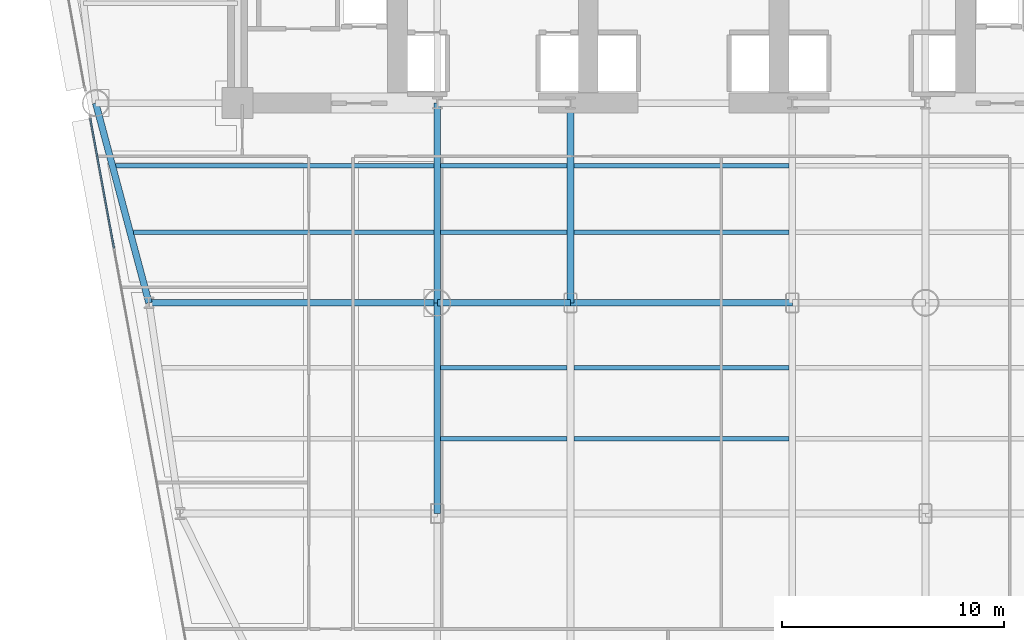
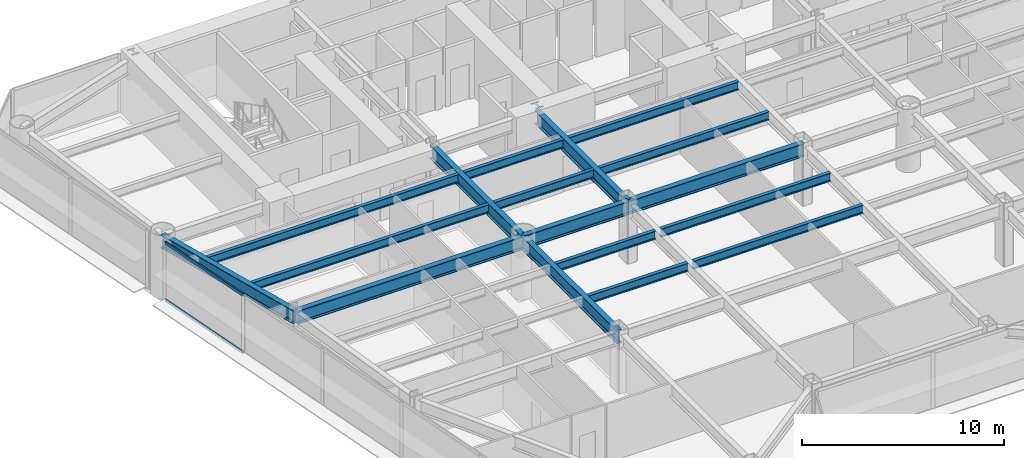
# One storey, part 3 of 14: 17 beams, 2 members, 1 element without a shape of its own.
"""IFC4 building model written with IfcOpenShell, lengths in metres."""

from ifc_helpers import new_model, si_unit, direction, frame, origin, origin_2d, place, context, subcontext, project, spatial, rectangle, i_section, extrude, source, transform, mapped, material, layer, layer_set, material_profile, profile_set, type_object, element, aggregate, save


model = new_model("IFC4")

# Units and contexts
model_context = context("Model", 3, precision=1e-05, world=origin(), true_north=direction((0.0, 1.0)))
body_context = subcontext(model_context, "Body", "Model", "MODEL_VIEW")
ifc_project = project(units=[si_unit("LENGTHUNIT", "METRE"), si_unit("AREAUNIT", "SQUARE_METRE"), si_unit("VOLUMEUNIT", "CUBIC_METRE"), si_unit("PLANEANGLEUNIT", "RADIAN"), si_unit("MASSUNIT", "GRAM", prefix="KILO")], contexts=[model_context])

# Site, building, storey
site_placement = place(None, origin())
site = spatial("IfcSite", under=ifc_project, at=site_placement, CompositionType="ELEMENT")
building_placement = place(site_placement, origin())
building = spatial("IfcBuilding", under=site, at=building_placement, Name="Vaeldorn Concourse Tower", CompositionType="ELEMENT")
storey_placement = place(building_placement, frame((0.0, 0.0, 79.60009765625)))
storey = spatial("IfcBuildingStorey", under=building, at=storey_placement, Name="L20", CompositionType="ELEMENT", Elevation=79.60009765625)

# Beams
ifc_material_1 = material(Name="Steel S355", Category="steel")
ifc_material_profile_1 = material_profile(ifc_material_1, i_section(OverallWidth=0.300048828125, OverallDepth=0.800048828125, WebThickness=0.017578125, FlangeThickness=0.032958984375, FilletRadius=0.030029296875, at=origin_2d()), Name="HEB 800")
ifc_profile_set_1 = profile_set([ifc_material_profile_1], Name="Steel S355")
beam_type_1 = type_object("IfcBeamType", Name="BM-PG-HEB800", PredefinedType="BEAM", material=ifc_profile_set_1)
shared_shape_1 = source(origin(), body_context, "Body", "SweptSolid", [
    extrude(i_section(OverallWidth=0.300048828125, OverallDepth=0.800048828125, WebThickness=0.017578125, FlangeThickness=0.032958984375, FilletRadius=0.030029296875, at=origin_2d()), origin(), (0.0, 0.0, 1.0), 6.0),
])
beam_1_placement = place(storey_placement, frame((23.0, 27.5, 3.139892578125), z_axis=(1.0, 0.0, 0.0), x_axis=(0.0, 1.0, 0.0)))
element("IfcBeam", 1, at=beam_1_placement, inside=storey, type_object=beam_type_1, Name="Beam BM-L20-C-TW1-C-TW2", PredefinedType="BEAM", context=body_context, shape_type="MappedRepresentation", body=[
    mapped(shared_shape_1, transform((0.0, 0.0, 0.0), scale=1.0)),
])
shared_shape_2 = source(origin(), body_context, "Body", "SweptSolid", [
    extrude(i_section(OverallWidth=0.300048828125, OverallDepth=0.800048828125, WebThickness=0.017578125, FlangeThickness=0.032958984375, FilletRadius=0.030029296875, at=origin_2d()), origin(), (0.0, 0.0, 1.0), 10.0),
])
beam_2_placement = place(storey_placement, frame((29.0, 27.5, 3.139892578125), z_axis=(1.0, 0.0, 0.0), x_axis=(0.0, 1.0, 0.0)))
element("IfcBeam", 2, at=beam_2_placement, inside=storey, type_object=beam_type_1, Name="Beam BM-L20-C-TW2-C-TW3", PredefinedType="BEAM", context=body_context, shape_type="MappedRepresentation", body=[
    mapped(shared_shape_2, transform((0.0, 0.0, 0.0), scale=1.0)),
])
shared_shape_3 = source(origin(), body_context, "Body", "SweptSolid", [
    extrude(i_section(OverallWidth=0.300048828125, OverallDepth=0.800048828125, WebThickness=0.017578125, FlangeThickness=0.032958984375, FilletRadius=0.030029296875, at=origin_2d()), origin(), (0.0, 0.0, 1.0), 9.0),
])
for number, where, z_axis, x_axis, name in (
    (3, (23.0, 27.5, 3.139892578125), (0.0, 1.0, 0.0), (-1.0, 0.0, 0.0), "Beam BM-L20-C-TW1-C-FC2"),
    (4, (29.0, 27.5, 3.139892578125), (0.0, 1.0, 0.0), (-1.0, 0.0, 0.0), "Beam BM-L20-C-TW2-C-FC3"),
):
    element("IfcBeam", number, at=place(storey_placement, frame(where, z_axis=z_axis, x_axis=x_axis)), inside=storey, type_object=beam_type_1, Name=name, PredefinedType="BEAM", context=body_context, shape_type="MappedRepresentation", body=[
        mapped(shared_shape_3, transform((0.0, 0.0, 0.0), scale=1.0)),
    ])
shared_shape_4 = source(origin(), body_context, "Body", "SweptSolid", [
    extrude(i_section(OverallWidth=0.300048828125, OverallDepth=0.800048828125, WebThickness=0.017578125, FlangeThickness=0.032958984375, FilletRadius=0.030029296875, at=origin_2d()), origin(), (0.0, 0.0, 1.0), 9.314453125),
])
beam_3_placement = place(storey_placement, frame((7.60009765625, 36.5, 3.139892578125), z_axis=(0.257652862255, -0.966237549763, 0.0), x_axis=(0.966237549763, 0.257652862255, 0.0)))
element("IfcBeam", 5, at=beam_3_placement, inside=storey, type_object=beam_type_1, Name="Beam BM-L20-C-NW2-C-FLW1", PredefinedType="BEAM", context=body_context, shape_type="MappedRepresentation", body=[
    mapped(shared_shape_4, transform((0.0, 0.0, 0.0), scale=1.0)),
])
shared_shape_5 = source(origin(), body_context, "Body", "SweptSolid", [
    extrude(i_section(OverallWidth=0.300048828125, OverallDepth=0.800048828125, WebThickness=0.017578125, FlangeThickness=0.032958984375, FilletRadius=0.030029296875, at=origin_2d()), origin(), (0.0, 0.0, 1.0), 13.0),
])
beam_4_placement = place(storey_placement, frame((10.0, 27.5, 3.139892578125), z_axis=(1.0, 0.0, 0.0), x_axis=(0.0, 1.0, 0.0)))
element("IfcBeam", 6, at=beam_4_placement, inside=storey, type_object=beam_type_1, Name="Beam BM-L20-C-FLW1-C-TW1", PredefinedType="BEAM", context=body_context, shape_type="MappedRepresentation", body=[
    mapped(shared_shape_5, transform((0.0, 0.0, 0.0), scale=1.0)),
])
shared_shape_6 = source(origin(), body_context, "Body", "SweptSolid", [
    extrude(i_section(OverallWidth=0.300048828125, OverallDepth=0.800048828125, WebThickness=0.017578125, FlangeThickness=0.032958984375, FilletRadius=0.030029296875, at=origin_2d()), origin(), (0.0, 0.0, 1.0), 9.5),
])
beam_5_placement = place(storey_placement, frame((23.0, 18.0, 3.139892578125), z_axis=(0.0, 1.0, 0.0), x_axis=(-1.0, 0.0, 0.0)))
element("IfcBeam", 7, at=beam_5_placement, inside=storey, type_object=beam_type_1, Name="Beam BM-L20-C-TW5-C-TW1", PredefinedType="BEAM", context=body_context, shape_type="MappedRepresentation", body=[
    mapped(shared_shape_6, transform((0.0, 0.0, 0.0), scale=1.0)),
])
ifc_material_profile_2 = material_profile(ifc_material_1, i_section(OverallWidth=0.199951171875, OverallDepth=0.5, WebThickness=0.01025390625, FlangeThickness=0.01611328125, FilletRadius=0.02099609375, at=origin_2d()), Name="IPE 500")
ifc_profile_set_2 = profile_set([ifc_material_profile_2], Name="Steel S355")
beam_type_2 = type_object("IfcBeamType", Name="BM-JS-IPE500", PredefinedType="JOIST", material=ifc_profile_set_2)
shared_shape_7 = source(origin(), body_context, "Body", "SweptSolid", [
    extrude(i_section(OverallWidth=0.199951171875, OverallDepth=0.5, WebThickness=0.01025390625, FlangeThickness=0.01611328125, FilletRadius=0.02099609375, at=origin_2d()), origin(), (0.0, 0.0, 1.0), 5.7001953125),
])
for number, where, z_axis, x_axis, name in (
    (8, (23.14990234375, 21.3798828125, 3.289794921875), (1.0, 0.0, 0.0), (0.0, 1.0, 0.0), "Beam JS-L20-W2-213"),
    (9, (23.14990234375, 24.580078125, 3.289794921875), (1.0, 0.0, 0.0), (0.0, 1.0, 0.0), "Beam JS-L20-W2-245"),
    (10, (23.14990234375, 30.679931640625, 3.289794921875), (1.0, 0.0, 0.0), (0.0, 1.0, 0.0), "Beam JS-L20-W2-306"),
    (11, (23.14990234375, 33.679931640625, 3.289794921875), (1.0, 0.0, 0.0), (0.0, 1.0, 0.0), "Beam JS-L20-W2-336"),
):
    element("IfcBeam", number, at=place(storey_placement, frame(where, z_axis=z_axis, x_axis=x_axis)), inside=storey, type_object=beam_type_2, Name=name, PredefinedType="JOIST", context=body_context, shape_type="MappedRepresentation", body=[
        mapped(shared_shape_7, transform((0.0, 0.0, 0.0), scale=1.0)),
    ])
shared_shape_8 = source(origin(), body_context, "Body", "SweptSolid", [
    extrude(i_section(OverallWidth=0.199951171875, OverallDepth=0.5, WebThickness=0.01025390625, FlangeThickness=0.01611328125, FilletRadius=0.02099609375, at=origin_2d()), origin(), (0.0, 0.0, 1.0), 9.7001953125),
])
for number, where, z_axis, x_axis, name in (
    (12, (29.14990234375, 21.3798828125, 3.289794921875), (1.0, 0.0, 0.0), (0.0, 1.0, 0.0), "Beam JS-L20-C-213"),
    (13, (29.14990234375, 24.580078125, 3.289794921875), (1.0, 0.0, 0.0), (0.0, 1.0, 0.0), "Beam JS-L20-C-245"),
    (14, (29.14990234375, 30.679931640625, 3.289794921875), (1.0, 0.0, 0.0), (0.0, 1.0, 0.0), "Beam JS-L20-C-306"),
    (15, (29.14990234375, 33.679931640625, 3.289794921875), (1.0, 0.0, 0.0), (0.0, 1.0, 0.0), "Beam JS-L20-C-336"),
):
    element("IfcBeam", number, at=place(storey_placement, frame(where, z_axis=z_axis, x_axis=x_axis)), inside=storey, type_object=beam_type_2, Name=name, PredefinedType="JOIST", context=body_context, shape_type="MappedRepresentation", body=[
        mapped(shared_shape_8, transform((0.0, 0.0, 0.0), scale=1.0)),
    ])
shared_shape_9 = source(origin(), body_context, "Body", "SweptSolid", [
    extrude(i_section(OverallWidth=0.199951171875, OverallDepth=0.5, WebThickness=0.01025390625, FlangeThickness=0.01611328125, FilletRadius=0.02099609375, at=origin_2d()), origin(), (0.0, 0.0, 1.0), 13.548095703125),
])
beam_6_placement = place(storey_placement, frame((9.302001953125, 30.679931640625, 3.289794921875), z_axis=(1.0, 0.0, 0.0), x_axis=(0.0, 1.0, 0.0)))
element("IfcBeam", 16, at=beam_6_placement, inside=storey, type_object=beam_type_2, Name="Beam JS-L20-W1-306", PredefinedType="JOIST", context=body_context, shape_type="MappedRepresentation", body=[
    mapped(shared_shape_9, transform((0.0, 0.0, 0.0), scale=1.0)),
])
shared_shape_10 = source(origin(), body_context, "Body", "SweptSolid", [
    extrude(i_section(OverallWidth=0.199951171875, OverallDepth=0.5, WebThickness=0.01025390625, FlangeThickness=0.01611328125, FilletRadius=0.02099609375, at=origin_2d()), origin(), (0.0, 0.0, 1.0), 14.34814453125),
])
beam_7_placement = place(storey_placement, frame((8.501953125, 33.679931640625, 3.289794921875), z_axis=(1.0, 0.0, 0.0), x_axis=(0.0, 1.0, 0.0)))
element("IfcBeam", 17, at=beam_7_placement, inside=storey, type_object=beam_type_2, Name="Beam JS-L20-W1-336", PredefinedType="JOIST", context=body_context, shape_type="MappedRepresentation", body=[
    mapped(shared_shape_10, transform((0.0, 0.0, 0.0), scale=1.0)),
])

# Curtain wall, members
ifc_material_2 = material(Name="Anodised Bronze Aluminium", Category="aluminium")
ifc_layer = layer(ifc_material_2, 0.219970703125)
ifc_layer_set = layer_set([ifc_layer], Name="Anodised Bronze Aluminium")
curtain_wall_type = type_object("IfcCurtainWallType", Name="CW-SYS-01", PredefinedType="NOTDEFINED", material=ifc_layer_set)
curtain_wall_placement = place(storey_placement, origin())
curtain_wall = element("IfcCurtainWall", 18, at=curtain_wall_placement, inside=storey, type_object=curtain_wall_type, Name="Unitised Curtain Wall CW-L20-E11-2", PredefinedType="NOTDEFINED")
ifc_material_profile_3 = material_profile(ifc_material_2, rectangle(XDim=0.074951171875, YDim=0.179931640625, at=origin_2d()), Name="CWT 75x180")
ifc_profile_set_3 = profile_set([ifc_material_profile_3], Name="Anodised Bronze Aluminium")
member_type = type_object("IfcMemberType", Name="CWT-BRONZE-180", PredefinedType="USERDEFINED", material=ifc_profile_set_3)
shared_shape_11 = source(origin(), body_context, "Body", "SweptSolid", [
    extrude(rectangle(XDim=0.074951171875, YDim=0.179931640625, at=origin_2d()), origin(), (0.0, 0.0, 1.0), 5.937255859375),
])
member_1_placement = place(storey_placement, frame((7.357177734375, 35.806640625, 0.037353515625), z_axis=(0.17986238021, -0.983691783124, 0.0), x_axis=(0.983691783124, 0.17986238021, 0.0)))
member_1 = element("IfcMember", 19, at=member_1_placement, type_object=member_type, Name="CW-01 transom 1.1", ObjectType="TRANSOM", PredefinedType="USERDEFINED", context=body_context, shape_type="MappedRepresentation", body=[
    mapped(shared_shape_11, transform((0.0, 0.0, 0.0), scale=1.0)),
])
member_2_placement = place(storey_placement, frame((7.357177734375, 35.806640625, 3.50244140625), z_axis=(0.17986238021, -0.983691783124, 0.0), x_axis=(0.983691783124, 0.17986238021, 0.0)))
member_2 = element("IfcMember", 20, at=member_2_placement, type_object=member_type, Name="CW-01 transom 1.2", ObjectType="TRANSOM", PredefinedType="USERDEFINED", context=body_context, shape_type="MappedRepresentation", body=[
    mapped(shared_shape_11, transform((0.0, 0.0, 0.0), scale=1.0)),
])
aggregate(curtain_wall, [member_1, member_2])

save(model, "model.ifc")
